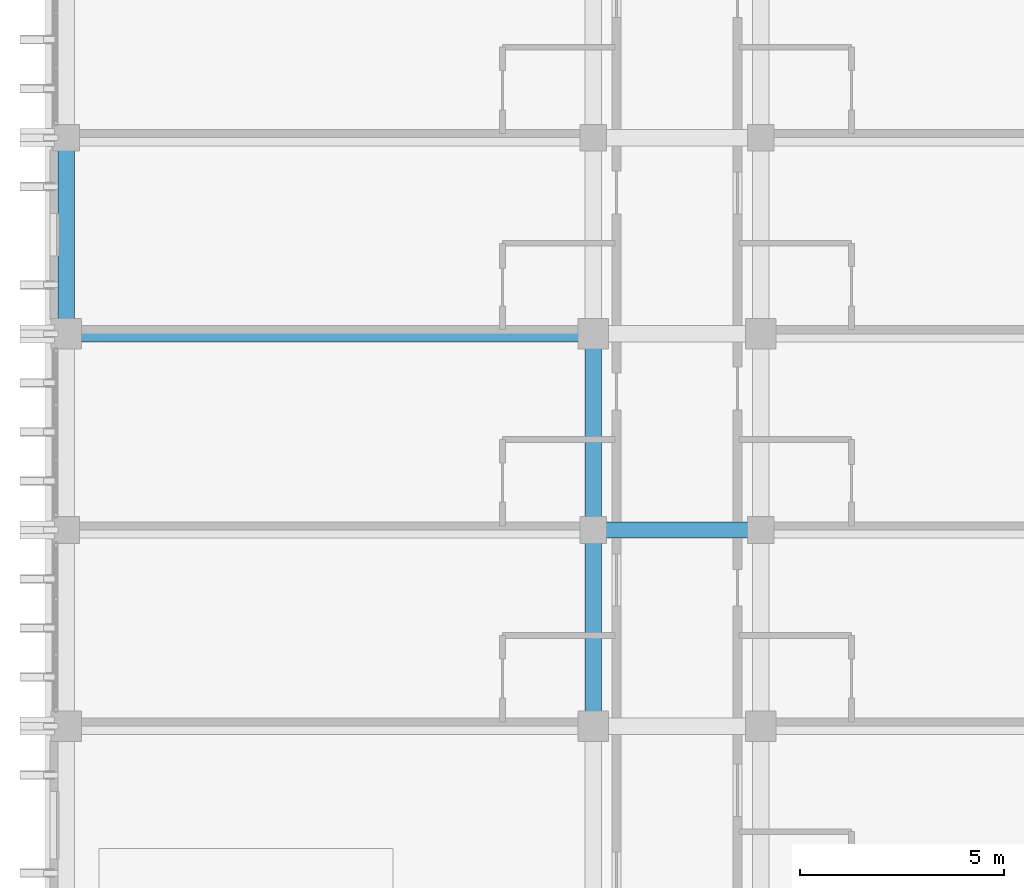
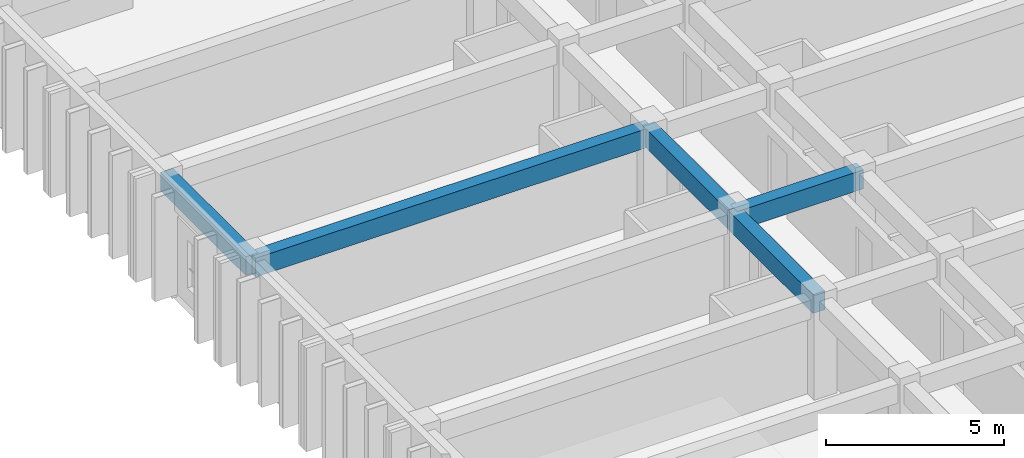
# One storey, part 11 of 64: 5 beams.
"""IFC4 building model written with IfcOpenShell, lengths in metres."""

from ifc_helpers import new_model, si_unit, direction, frame, origin, origin_2d, place, context, subcontext, project, spatial, rectangle, extrude, material, material_profile, profile_set, type_object, element, save


model = new_model("IFC4")

# Units and contexts
model_context = context("Model", 3, precision=1e-05, world=origin(), true_north=direction((0.0, 1.0)))
body_context = subcontext(model_context, "Body", "Model", "MODEL_VIEW")
ifc_project = project(units=[si_unit("LENGTHUNIT", "METRE"), si_unit("AREAUNIT", "SQUARE_METRE"), si_unit("VOLUMEUNIT", "CUBIC_METRE"), si_unit("PLANEANGLEUNIT", "RADIAN"), si_unit("MASSUNIT", "GRAM", prefix="KILO")], contexts=[model_context])

# Site, building, storey
site_placement = place(None, origin())
site = spatial("IfcSite", under=ifc_project, at=site_placement, CompositionType="ELEMENT")
building_placement = place(site_placement, origin())
building = spatial("IfcBuilding", under=site, at=building_placement, Name="Nakhvara Creek Congress Hotel", CompositionType="ELEMENT")
storey_placement = place(building_placement, frame((0.0, 0.0, 28.199951171875)))
storey = spatial("IfcBuildingStorey", under=building, at=storey_placement, Name="L06", CompositionType="ELEMENT", Elevation=28.199951171875)

# Beams
ifc_material = material(Name="Concrete C40/50", Category="concrete")
ifc_material_profile = material_profile(ifc_material, rectangle(XDim=0.39990234375, YDim=0.64990234375, at=origin_2d()), Name="RC-BM 400x650", Category="LoadBearing")
ifc_profile_set = profile_set([ifc_material_profile], Name="Concrete C40/50")
beam_type = type_object("IfcBeamType", Name="BM-RC-400X650", PredefinedType="BEAM", material=ifc_profile_set)
beam_1_placement = place(storey_placement, frame((149.449951171875, 57.60009765625, 3.01513671875), z_axis=(1.0, 0.0, 0.0), x_axis=(0.0, 1.0, 0.0)))
element("IfcBeam", 1, at=beam_1_placement, inside=storey, type_object=beam_type, Name="Beam B06-L06-2198", PredefinedType="BEAM", context=body_context, shape_type="SweptSolid", body=[
    extrude(rectangle(XDim=0.39990234375, YDim=0.64990234375, at=origin_2d()), origin(), (0.0, 0.0, 1.0), 12.900146484375),
])
beam_2_placement = place(storey_placement, frame((149.449951171875, 57.60009765625, 3.01513671875), z_axis=(0.0, 1.0, 0.0), x_axis=(-1.0, 0.0, 0.0)))
element("IfcBeam", 2, at=beam_2_placement, inside=storey, type_object=beam_type, Name="Beam B06-L06-2200", PredefinedType="BEAM", context=body_context, shape_type="SweptSolid", body=[
    extrude(rectangle(XDim=0.39990234375, YDim=0.64990234375, at=origin_2d()), origin(), (0.0, 0.0, 1.0), 4.7998046875),
])
for number, where, z_axis, x_axis, name in (
    (3, (162.35009765625, 48.0, 3.01513671875), (0.0, 1.0, 0.0), (-1.0, 0.0, 0.0), "Beam B06-L06-2223"),
    (4, (162.35009765625, 52.800048828125, 3.01513671875), (0.0, 1.0, 0.0), (-1.0, 0.0, 0.0), "Beam B06-L06-2225"),
):
    element("IfcBeam", number, at=place(storey_placement, frame(where, z_axis=z_axis, x_axis=x_axis)), inside=storey, type_object=beam_type, Name=name, PredefinedType="BEAM", context=body_context, shape_type="SweptSolid", body=[
        extrude(rectangle(XDim=0.39990234375, YDim=0.64990234375, at=origin_2d()), origin(), (0.0, 0.0, 1.0), 4.800048828125),
    ])
beam_3_placement = place(storey_placement, frame((162.35009765625, 52.800048828125, 3.01513671875), z_axis=(1.0, 0.0, 0.0), x_axis=(0.0, 1.0, 0.0)))
element("IfcBeam", 5, at=beam_3_placement, inside=storey, type_object=beam_type, Name="Beam B06-L06-2301", PredefinedType="BEAM", context=body_context, shape_type="SweptSolid", body=[
    extrude(rectangle(XDim=0.39990234375, YDim=0.64990234375, at=origin_2d()), origin(), (0.0, 0.0, 1.0), 4.099853515625),
])

save(model, "model.ifc")
